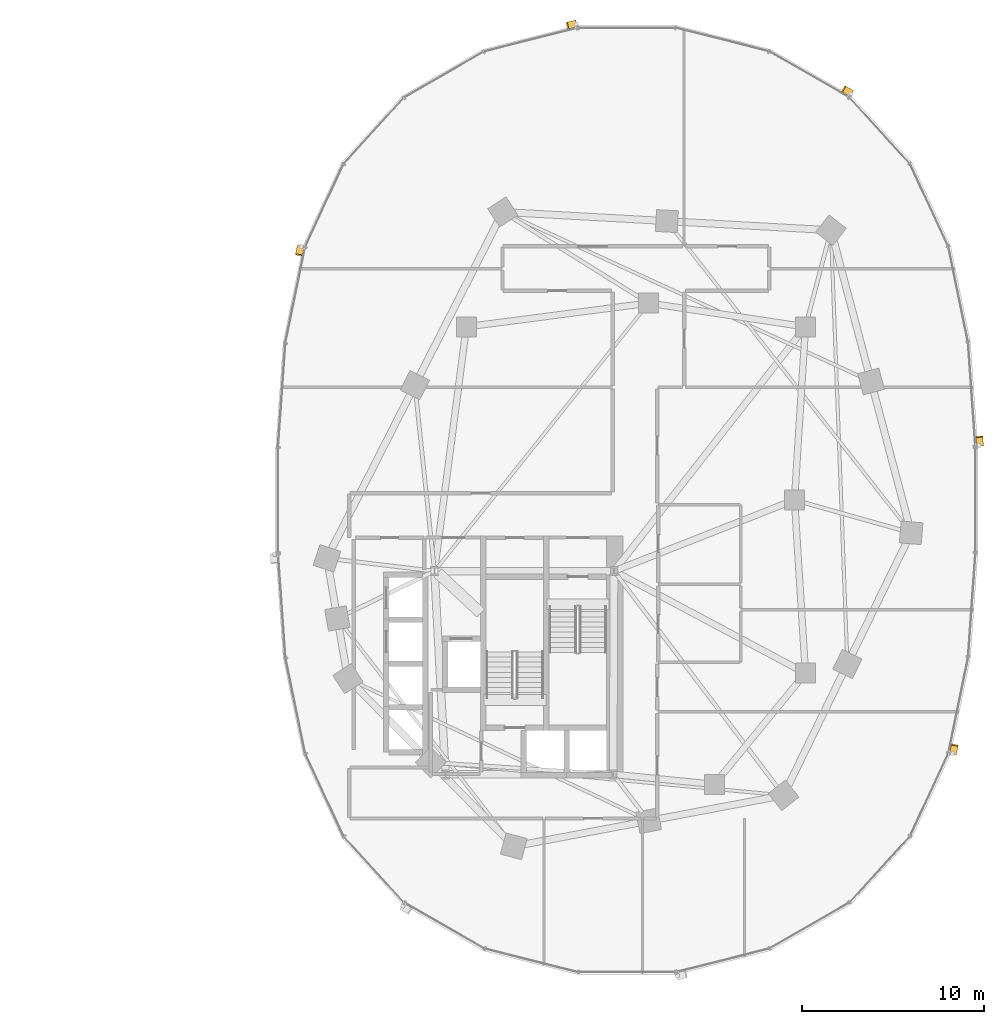
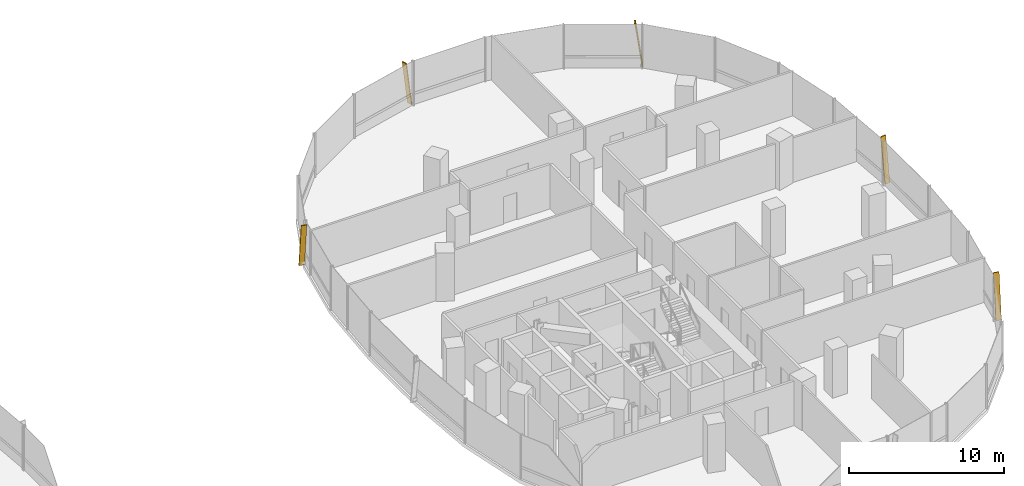
# One storey, part 22 of 22: 5 shading devices.
"""IFC4 building model written with IfcOpenShell, lengths in metres."""

from ifc_helpers import new_model, si_unit, direction, frame, origin, origin_2d, place, context, subcontext, project, spatial, rectangle, extrude, material, material_profile, profile_set, type_object, element, save


model = new_model("IFC4")

# Units and contexts
model_context = context("Model", 3, precision=1e-05, world=origin(), true_north=direction((0.0, 1.0)))
body_context = subcontext(model_context, "Body", "Model", "MODEL_VIEW")
ifc_project = project(units=[si_unit("LENGTHUNIT", "METRE"), si_unit("AREAUNIT", "SQUARE_METRE"), si_unit("VOLUMEUNIT", "CUBIC_METRE"), si_unit("PLANEANGLEUNIT", "RADIAN"), si_unit("MASSUNIT", "GRAM", prefix="KILO"), si_unit("THERMODYNAMICTEMPERATUREUNIT", "KELVIN"), si_unit("POWERUNIT", "WATT")], contexts=[model_context])

# Site, building, storey
site_placement = place(None, origin())
site = spatial("IfcSite", under=ifc_project, at=site_placement, CompositionType="ELEMENT")
building_placement = place(site_placement, origin())
building = spatial("IfcBuilding", under=site, at=building_placement, Name="Cundina Bronze Exchange", CompositionType="ELEMENT")
storey_placement = place(building_placement, frame((0.0, 0.0, 43.0)))
storey = spatial("IfcBuildingStorey", under=building, at=storey_placement, Name="L10", CompositionType="ELEMENT", Elevation=43.0)

# Shading devices
ifc_material = material(Name="Anodised Bronze Aluminium 6063-T6", Category="aluminium")
ifc_material_profile = material_profile(ifc_material, rectangle(XDim=0.070068359375, YDim=0.3798828125, at=origin_2d()), Name="FIN70X380", Category="aluminium")
ifc_profile_set = profile_set([ifc_material_profile], Name="Anodised Bronze Aluminium 6063-T6")
shading_device_type = type_object("IfcShadingDeviceType", Name="SHD-FIN-BRZ380", PredefinedType="USERDEFINED", material=ifc_profile_set)
for number, where, z_axis, x_axis, name in (
    (1, (51.3740234375, 2.993896484375, 0.02001953125), (-0.009645159174, 0.137059109714, 0.990515911709), (0.06953288269, -0.988072340253, 0.137398066402), "L10 Diagonal Bronze Solar Fin 1"),
    (2, (44.314208984375, 22.314208984375, 0.02001953125), (-0.119166378275, 0.06842456559, 0.990513731915), (0.85898178632, -0.493221799887, 0.137413779831), "L10 Diagonal Bronze Solar Fin 5"),
    (3, (29.212646484375, 26.138427734375, 0.02001953125), (-0.133214830938, -0.033688115694, 0.990514472221), (0.960284642503, 0.242842181368, 0.137408443412), "L10 Diagonal Bronze Solar Fin 1"),
    (4, (14.10400390625, 13.911865234375, 0.02001953125), (-0.027747134956, -0.134612045151, 0.990509815096), (0.199966585563, 0.970114971774, 0.137442010309), "L10 Diagonal Bronze Solar Fin 5"),
    (5, (49.89599609375, -13.911865234375, 0.02001953125), (0.027747134956, 0.134612045151, 0.990509815096), (-0.199966585563, -0.970114971774, 0.137442010309), "L10 Diagonal Bronze Solar Fin 5"),
):
    element("IfcShadingDevice", number, at=place(storey_placement, frame(where, z_axis=z_axis, x_axis=x_axis)), inside=storey, type_object=shading_device_type, Name=name, ObjectType="FIN", PredefinedType="USERDEFINED", context=body_context, shape_type="SweptSolid", body=[
        extrude(rectangle(XDim=0.070068359375, YDim=0.3798828125, at=origin_2d()), origin(), (0.0, 0.0, 1.0), 3.4931640625),
    ])

save(model, "model.ifc")
